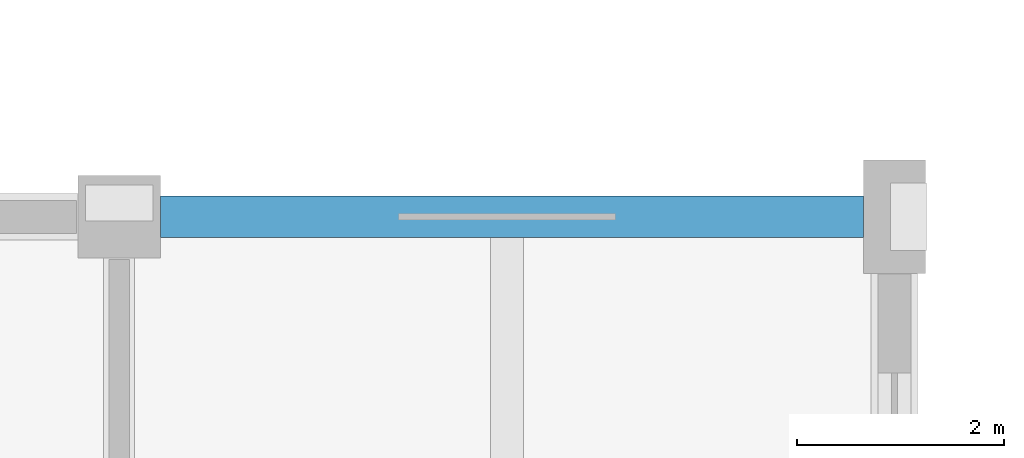
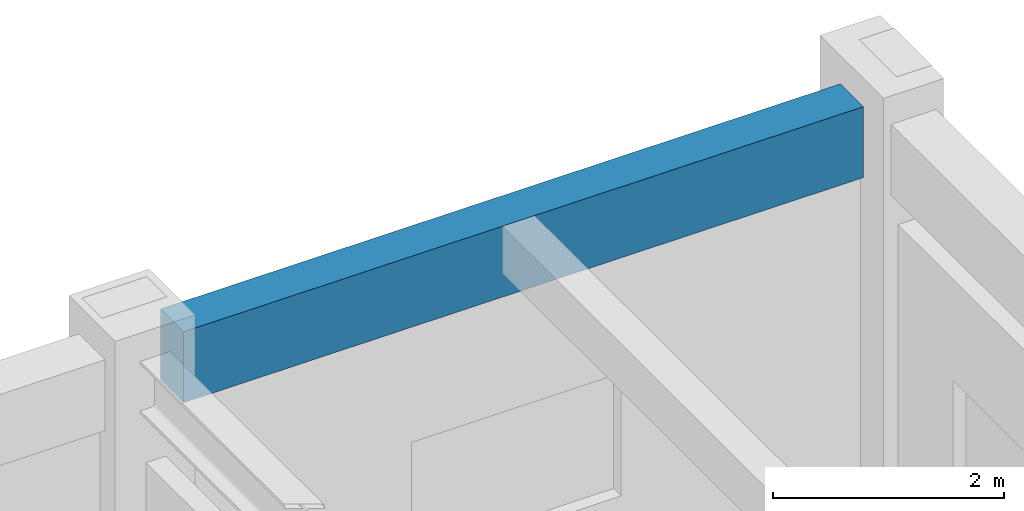
# One storey, part 54 of 124: 1 beam.
"""IFC4 building model written with IfcOpenShell, lengths in metres."""

from ifc_helpers import new_model, si_unit, direction, frame, origin, origin_2d, place, context, subcontext, project, spatial, rectangle, extrude, material, material_profile, profile_set, type_object, element, save


model = new_model("IFC4")

# Units and contexts
model_context = context("Model", 3, precision=1e-05, world=origin(), true_north=direction((0.0, 1.0)))
body_context = subcontext(model_context, "Body", "Model", "MODEL_VIEW")
ifc_project = project(units=[si_unit("LENGTHUNIT", "METRE"), si_unit("AREAUNIT", "SQUARE_METRE"), si_unit("VOLUMEUNIT", "CUBIC_METRE"), si_unit("PLANEANGLEUNIT", "RADIAN"), si_unit("MASSUNIT", "GRAM", prefix="KILO")], contexts=[model_context])

# Site, building, storey
site_placement = place(None, origin())
site = spatial("IfcSite", under=ifc_project, at=site_placement, CompositionType="ELEMENT")
building_placement = place(site_placement, origin())
building = spatial("IfcBuilding", under=site, at=building_placement, Name="Qasida Concert Hall", CompositionType="ELEMENT")
storey_placement = place(building_placement, frame((0.0, 0.0, 9.0)))
storey = spatial("IfcBuildingStorey", under=building, at=storey_placement, Name="L02", CompositionType="ELEMENT", Elevation=9.0)

# Beam
ifc_material = material(Name="Concrete C40/50", Category="concrete")
ifc_material_profile = material_profile(ifc_material, rectangle(XDim=0.39990234375, YDim=0.75, at=origin_2d()), Name="RC 400x750")
ifc_profile_set = profile_set([ifc_material_profile], Name="Concrete C40/50")
beam_type = type_object("IfcBeamType", Name="BM-SP1", PredefinedType="SPANDREL", material=ifc_profile_set)
beam_placement = place(storey_placement, frame((97.89990234375, 82.5, 3.52490234375), z_axis=(1.0, 0.0, 0.0), x_axis=(0.0, 1.0, 0.0)))
element("IfcBeam", 1, at=beam_placement, inside=storey, type_object=beam_type, Name="Primary girder 1170", PredefinedType="SPANDREL", context=body_context, shape_type="SweptSolid", body=[
    extrude(rectangle(XDim=0.39990234375, YDim=0.75, at=origin_2d()), origin(), (0.0, 0.0, 1.0), 6.800048828125),
])

save(model, "model.ifc")
